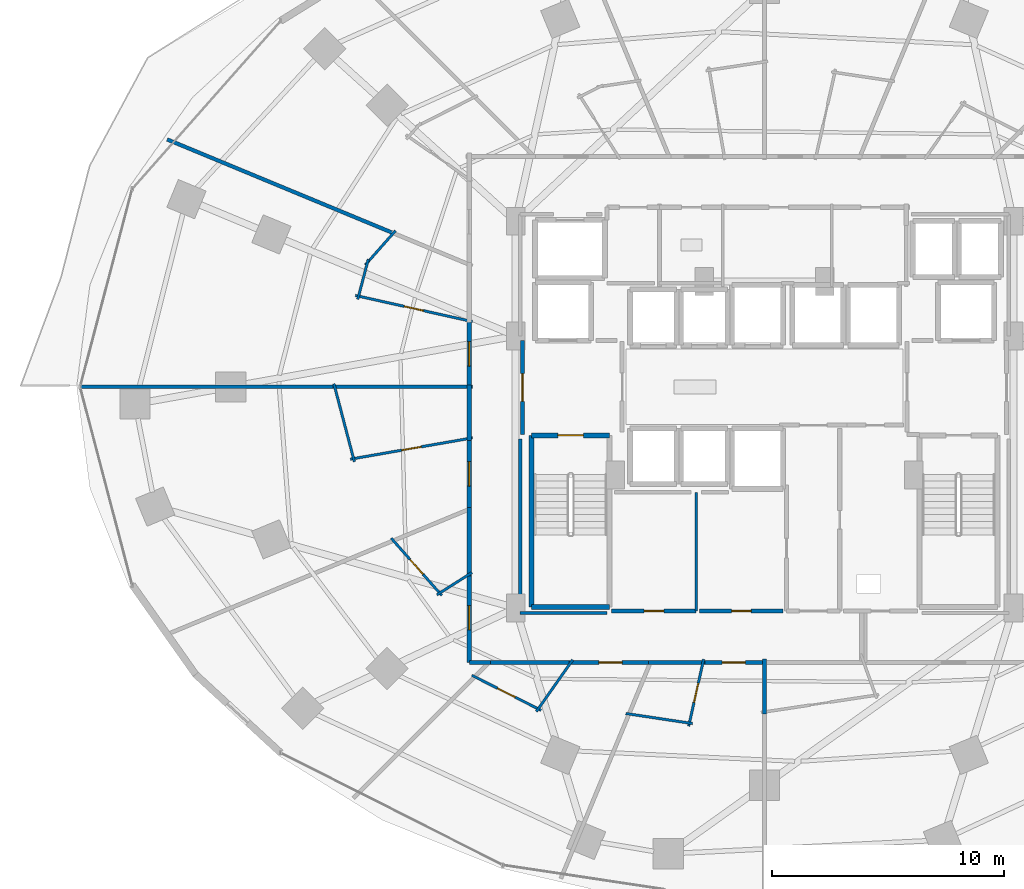
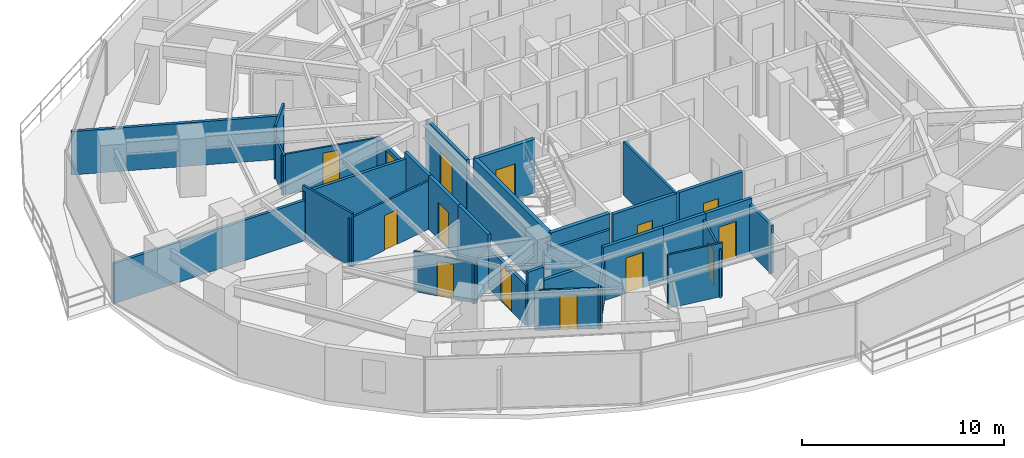
# One storey, part 26 of 34: 34 walls, 14 doors, 14 openings.
"""IFC4 building model written with IfcOpenShell, lengths in metres."""

from ifc_helpers import new_model, si_unit, direction, frame, frame_2d, origin, place, context, subcontext, project, spatial, rectangle, extrude, material, layer, layer_set, type_object, element, fill, save


model = new_model("IFC4")

# Units and contexts
model_context = context("Model", 3, precision=1e-05, world=origin(), true_north=direction((0.0, 1.0)))
body_context = subcontext(model_context, "Body", "Model", "MODEL_VIEW")
ifc_project = project(units=[si_unit("LENGTHUNIT", "METRE"), si_unit("AREAUNIT", "SQUARE_METRE"), si_unit("VOLUMEUNIT", "CUBIC_METRE"), si_unit("PLANEANGLEUNIT", "RADIAN"), si_unit("MASSUNIT", "GRAM", prefix="KILO")], contexts=[model_context])

# Site, building, storey
site_placement = place(None, origin())
site = spatial("IfcSite", under=ifc_project, at=site_placement, CompositionType="ELEMENT")
building_placement = place(site_placement, origin())
building = spatial("IfcBuilding", under=site, at=building_placement, Name="Vorneva Point Tower", CompositionType="ELEMENT")
storey_placement = place(building_placement, frame((0.0, 0.0, 31.0)))
storey = spatial("IfcBuildingStorey", under=building, at=storey_placement, Name="L07", CompositionType="ELEMENT", Elevation=31.0)

# Wall, opening, door
ifc_material_1 = material(Name="Fire-rated acoustic gypsum stud partition", Category="gypsum")
ifc_layer_1 = layer(ifc_material_1, 0.110107421875)
ifc_layer_set_1 = layer_set([ifc_layer_1], Name="Fire-rated acoustic gypsum stud partition")
wall_type_1 = type_object("IfcWallType", Name="WL-PART-110", PredefinedType="PARTITIONING", material=ifc_layer_set_1)
wall_1_placement = place(storey_placement, frame((25.38671875, 28.819580078125, 0.0), z_axis=(0.0, 0.0, 1.0), x_axis=(-0.975933395621, 0.218068813248, 0.0)))
wall_1 = element("IfcWall", 1, at=wall_1_placement, inside=storey, type_object=wall_type_1, Name="L07 Interior Partition 086", PredefinedType="PARTITIONING", context=body_context, shape_type="SweptSolid", body=[
    extrude(rectangle(XDim=5.1767578125, YDim=0.110107421875, at=frame_2d((2.58837890625, 0.0))), origin(), (0.0, 0.0, 1.0), 2.431884765625),
])
opening_1_placement = place(wall_1_placement, frame((2.163330078125, 0.0, 0.0)))
opening_1 = element("IfcOpeningElement", 2, at=opening_1_placement, cuts=wall_1, Name="Opening ID-02", PredefinedType="OPENING", context=body_context, shape_type="SweptSolid", body=[
    extrude(rectangle(XDim=0.85009765625, YDim=2.10009765625, at=frame_2d((0.425048828125, 1.050048828125))), frame((0.0, 0.06982421875, 0.0), z_axis=(0.0, -1.0, 0.0), x_axis=(1.0, 0.0, 0.0)), (0.0, 0.0, 1.0), 0.139892578125),
])
ifc_material_2 = material(Name="Engineered oak fire-rated door leaf", Category="wood")
door_type_1 = type_object("IfcDoorType", Name="DR-BATH-850", OperationType="NOTDEFINED", PredefinedType="DOOR", material=ifc_material_2)
door_1_placement = place(opening_1_placement, origin())
door_1 = element("IfcDoor", 3, at=door_1_placement, inside=storey, type_object=door_type_1, Name="L07 Door Executive Suite L07-08 / En-Suite Bathroom L07-08", OperationType="SINGLE_SWING_RIGHT", OverallHeight=2.10009765625, OverallWidth=0.85009765625, PredefinedType="DOOR", context=body_context, shape_type="SweptSolid", body=[
    extrude(rectangle(XDim=0.85009765625, YDim=2.10009765625, at=frame_2d((0.425048828125, 1.050048828125))), frame((0.0, 0.02490234375, 0.0), z_axis=(0.0, -1.0, 0.0), x_axis=(1.0, 0.0, 0.0)), (0.0, 0.0, 1.0), 0.050048828125),
])
fill(opening_1, door_1)

# Walls
wall_2_placement = place(storey_placement, frame((20.435302734375, 29.78271484375, 0.0), z_axis=(0.0, 0.0, 1.0), x_axis=(0.254378671262, 0.967104695267, 0.0)))
element("IfcWall", 4, at=wall_2_placement, inside=storey, type_object=wall_type_1, Name="L07 Interior Partition 087", PredefinedType="PARTITIONING", context=body_context, shape_type="SweptSolid", body=[
    extrude(rectangle(XDim=1.7822265625, YDim=0.110107421875, at=frame_2d((0.89111328125, 0.0))), origin(), (0.0, 0.0, 1.0), 2.431884765625),
])
wall_3_placement = place(storey_placement, frame((20.76025390625, 31.26611328125, 0.0), z_axis=(0.0, 0.0, 1.0), x_axis=(0.662047420969, 0.749461948593, 0.0)))
element("IfcWall", 5, at=wall_3_placement, inside=storey, type_object=wall_type_1, Name="L07 Interior Partition 088", PredefinedType="PARTITIONING", context=body_context, shape_type="SweptSolid", body=[
    extrude(rectangle(XDim=1.9716796875, YDim=0.110107421875, at=frame_2d((0.98583984375, 0.0))), origin(), (0.0, 0.0, 1.0), 3.239990234375),
])
wall_4_placement = place(storey_placement, frame((20.29052734375, 22.767578125, 0.0), z_axis=(0.0, 0.0, 1.0), x_axis=(-0.254476045764, 0.967079077497, 0.0)))
element("IfcWall", 6, at=wall_4_placement, inside=storey, type_object=wall_type_1, Name="L07 Interior Partition 091", PredefinedType="PARTITIONING", context=body_context, shape_type="SweptSolid", body=[
    extrude(rectangle(XDim=3.482666015625, YDim=0.110107421875, at=frame_2d((1.7412109375, 0.0))), origin(), (0.0, 0.0, 1.0), 3.239990234375),
])

# Wall, opening, door
wall_5_placement = place(storey_placement, frame((25.387939453125, 23.799072265625, 0.0), z_axis=(0.0, 0.0, 1.0), x_axis=(-0.985100697644, -0.171978532096, 0.0)))
wall_5 = element("IfcWall", 7, at=wall_5_placement, inside=storey, type_object=wall_type_1, Name="L07 Interior Partition 092", PredefinedType="PARTITIONING", context=body_context, shape_type="SweptSolid", body=[
    extrude(rectangle(XDim=5.3505859375, YDim=0.110107421875, at=frame_2d((2.67529296875, 0.0))), origin(), (0.0, 0.0, 1.0), 2.922119140625),
])
opening_2_placement = place(wall_5_placement, frame((2.250244140625, 0.0, 0.0)))
opening_2 = element("IfcOpeningElement", 8, at=opening_2_placement, cuts=wall_5, Name="Opening ID-02", PredefinedType="OPENING", context=body_context, shape_type="SweptSolid", body=[
    extrude(rectangle(XDim=0.85009765625, YDim=2.10009765625, at=frame_2d((0.425048828125, 1.050048828125))), frame((0.0, 0.06982421875, 0.0), z_axis=(0.0, -1.0, 0.0), x_axis=(1.0, 0.0, 0.0)), (0.0, 0.0, 1.0), 0.139892578125),
])
door_2_placement = place(opening_2_placement, origin())
door_2 = element("IfcDoor", 9, at=door_2_placement, inside=storey, type_object=door_type_1, Name="L07 Door Corner Suite L07-09 / En-Suite Bathroom L07-09", OperationType="SINGLE_SWING_LEFT", OverallHeight=2.10009765625, OverallWidth=0.85009765625, PredefinedType="DOOR", context=body_context, shape_type="SweptSolid", body=[
    extrude(rectangle(XDim=0.85009765625, YDim=2.10009765625, at=frame_2d((0.425048828125, 1.050048828125))), frame((0.0, 0.02490234375, 0.0), z_axis=(0.0, -1.0, 0.0), x_axis=(1.0, 0.0, 0.0)), (0.0, 0.0, 1.0), 0.050048828125),
])
fill(opening_2, door_2)

wall_6_placement = place(storey_placement, frame((24.064697265625, 16.9931640625, 0.0), z_axis=(0.0, 0.0, 1.0), x_axis=(-0.662059609276, 0.749451181709, 0.0)))
wall_6 = element("IfcWall", 10, at=wall_6_placement, inside=storey, type_object=wall_type_1, Name="L07 Interior Partition 094", PredefinedType="PARTITIONING", context=body_context, shape_type="SweptSolid", body=[
    extrude(rectangle(XDim=3.29931640625, YDim=0.110107421875, at=frame_2d((1.649658203125, 0.0))), origin(), (0.0, 0.0, 1.0), 2.431884765625),
])
opening_3_placement = place(wall_6_placement, frame((1.224609375, 0.0, 0.0)))
opening_3 = element("IfcOpeningElement", 11, at=opening_3_placement, cuts=wall_6, Name="Opening ID-02", PredefinedType="OPENING", context=body_context, shape_type="SweptSolid", body=[
    extrude(rectangle(XDim=0.85009765625, YDim=2.10009765625, at=frame_2d((0.425048828125, 1.050048828125))), frame((0.0, 0.06982421875, 0.0), z_axis=(0.0, -1.0, 0.0), x_axis=(1.0, 0.0, 0.0)), (0.0, 0.0, 1.0), 0.139892578125),
])
door_3_placement = place(opening_3_placement, origin())
door_3 = element("IfcDoor", 12, at=door_3_placement, inside=storey, type_object=door_type_1, Name="L07 Door Junior Suite L07-10 / En-Suite Bathroom L07-10", OperationType="SINGLE_SWING_RIGHT", OverallHeight=2.10009765625, OverallWidth=0.85009765625, PredefinedType="DOOR", context=body_context, shape_type="SweptSolid", body=[
    extrude(rectangle(XDim=0.85009765625, YDim=2.10009765625, at=frame_2d((0.425048828125, 1.050048828125))), frame((0.0, 0.02490234375, 0.0), z_axis=(0.0, -1.0, 0.0), x_axis=(1.0, 0.0, 0.0)), (0.0, 0.0, 1.0), 0.050048828125),
])
fill(opening_3, door_3)

# Wall
wall_7_placement = place(storey_placement, frame((25.3681640625, 17.98388671875, 0.0), z_axis=(0.0, 0.0, 1.0), x_axis=(-0.844361394482, -0.535774052665, 0.0)))
element("IfcWall", 13, at=wall_7_placement, inside=storey, type_object=wall_type_1, Name="L07 Interior Partition 095", PredefinedType="PARTITIONING", context=body_context, shape_type="SweptSolid", body=[
    extrude(rectangle(XDim=1.79345703125, YDim=0.110107421875, at=frame_2d((0.896728515625, 0.0))), origin(), (0.0, 0.0, 1.0), 2.431884765625),
])

# Wall, opening, door
wall_8_placement = place(storey_placement, frame((28.35400390625, 12.033935546875, 0.0), z_axis=(0.0, 0.0, 1.0), x_axis=(-0.892556909034, 0.450934767052, 0.0)))
wall_8 = element("IfcWall", 14, at=wall_8_placement, inside=storey, type_object=wall_type_1, Name="L07 Interior Partition 097", PredefinedType="PARTITIONING", context=body_context, shape_type="SweptSolid", body=[
    extrude(rectangle(XDim=3.355712890625, YDim=0.110107421875, at=frame_2d((1.677734375, 0.0))), origin(), (0.0, 0.0, 1.0), 2.431884765625),
])
opening_4_placement = place(wall_8_placement, frame((1.252685546875, 0.0, 0.0)))
opening_4 = element("IfcOpeningElement", 15, at=opening_4_placement, cuts=wall_8, Name="Opening ID-02", PredefinedType="OPENING", context=body_context, shape_type="SweptSolid", body=[
    extrude(rectangle(XDim=0.85009765625, YDim=2.10009765625, at=frame_2d((0.425048828125, 1.050048828125))), frame((0.0, 0.06982421875, 0.0), z_axis=(0.0, -1.0, 0.0), x_axis=(1.0, 0.0, 0.0)), (0.0, 0.0, 1.0), 0.139892578125),
])
door_4_placement = place(opening_4_placement, origin())
door_4 = element("IfcDoor", 16, at=door_4_placement, inside=storey, type_object=door_type_1, Name="L07 Door King Guest Room L07-11 / En-Suite Bathroom L07-11", OperationType="SINGLE_SWING_LEFT", OverallHeight=2.10009765625, OverallWidth=0.85009765625, PredefinedType="DOOR", context=body_context, shape_type="SweptSolid", body=[
    extrude(rectangle(XDim=0.85009765625, YDim=2.10009765625, at=frame_2d((0.425048828125, 1.050048828125))), frame((0.0, 0.02490234375, 0.0), z_axis=(0.0, -1.0, 0.0), x_axis=(1.0, 0.0, 0.0)), (0.0, 0.0, 1.0), 0.050048828125),
])
fill(opening_4, door_4)

# Walls
wall_9_placement = place(storey_placement, frame((29.717529296875, 14.214599609375, 0.0), z_axis=(0.0, 0.0, 1.0), x_axis=(-0.575076641985, -0.81809953908, 0.0)))
element("IfcWall", 17, at=wall_9_placement, inside=storey, type_object=wall_type_1, Name="L07 Interior Partition 098", PredefinedType="PARTITIONING", context=body_context, shape_type="SweptSolid", body=[
    extrude(rectangle(XDim=2.728515625, YDim=0.110107421875, at=frame_2d((1.3642578125, 0.0))), origin(), (0.0, 0.0, 1.0), 2.431884765625),
])
wall_10_placement = place(storey_placement, frame((34.893310546875, 11.463134765625, 0.0), z_axis=(0.0, 0.0, 1.0), x_axis=(-0.988868035357, 0.148795190273, 0.0)))
element("IfcWall", 18, at=wall_10_placement, inside=storey, type_object=wall_type_1, Name="L07 Interior Partition 100", PredefinedType="PARTITIONING", context=body_context, shape_type="SweptSolid", body=[
    extrude(rectangle(XDim=2.9140625, YDim=0.110107421875, at=frame_2d((1.45703125, 0.0))), origin(), (0.0, 0.0, 1.0), 3.239990234375),
])

# Wall, opening, door
wall_11_placement = place(storey_placement, frame((35.37060546875, 14.236572265625, 0.0), z_axis=(0.0, 0.0, 1.0), x_axis=(-0.218283637967, -0.975885368983, 0.0)))
wall_11 = element("IfcWall", 19, at=wall_11_placement, inside=storey, type_object=wall_type_1, Name="L07 Interior Partition 101", PredefinedType="PARTITIONING", context=body_context, shape_type="SweptSolid", body=[
    extrude(rectangle(XDim=2.96044921875, YDim=0.110107421875, at=frame_2d((1.480224609375, 0.0))), origin(), (0.0, 0.0, 1.0), 2.922119140625),
])
opening_5_placement = place(wall_11_placement, frame((1.055419921875, 0.0, 0.0)))
opening_5 = element("IfcOpeningElement", 20, at=opening_5_placement, cuts=wall_11, Name="Opening ID-02", PredefinedType="OPENING", context=body_context, shape_type="SweptSolid", body=[
    extrude(rectangle(XDim=0.85009765625, YDim=2.10009765625, at=frame_2d((0.425048828125, 1.050048828125))), frame((0.0, 0.06982421875, 0.0), z_axis=(0.0, -1.0, 0.0), x_axis=(1.0, 0.0, 0.0)), (0.0, 0.0, 1.0), 0.139892578125),
])
door_5_placement = place(opening_5_placement, origin())
door_5 = element("IfcDoor", 21, at=door_5_placement, inside=storey, type_object=door_type_1, Name="L07 Door Twin Guest Room L07-12 / En-Suite Bathroom L07-12", OperationType="SINGLE_SWING_RIGHT", OverallHeight=2.10009765625, OverallWidth=0.85009765625, PredefinedType="DOOR", context=body_context, shape_type="SweptSolid", body=[
    extrude(rectangle(XDim=0.85009765625, YDim=2.10009765625, at=frame_2d((0.425048828125, 1.050048828125))), frame((0.0, 0.02490234375, 0.0), z_axis=(0.0, -1.0, 0.0), x_axis=(1.0, 0.0, 0.0)), (0.0, 0.0, 1.0), 0.050048828125),
])
fill(opening_5, door_5)

# Walls
ifc_layer_2 = layer(ifc_material_1, 0.125)
ifc_layer_set_2 = layer_set([ifc_layer_2], Name="Fire-rated acoustic gypsum stud partition")
wall_type_2 = type_object("IfcWallType", Name="WL-PART-125", PredefinedType="PARTITIONING", material=ifc_layer_set_2)
wall_12_placement = place(storey_placement, frame((35.050048828125, 16.320068359375, 0.0), z_axis=(0.0, 0.0, 1.0), x_axis=(0.0, 1.0, 0.0)))
element("IfcWall", 22, at=wall_12_placement, inside=storey, type_object=wall_type_2, Name="L07 Interior Partition 021", PredefinedType="PARTITIONING", context=body_context, shape_type="SweptSolid", body=[
    extrude(rectangle(XDim=5.1298828125, YDim=0.125, at=frame_2d((2.56494140625, 0.0))), origin(), (0.0, 0.0, 1.0), 3.239990234375),
])
ifc_layer_3 = layer(ifc_material_1, 0.139892578125)
ifc_layer_set_3 = layer_set([ifc_layer_3], Name="Fire-rated acoustic gypsum stud partition")
wall_type_3 = type_object("IfcWallType", Name="WL-PART-140", PredefinedType="PARTITIONING", material=ifc_layer_set_3)
wall_13_placement = place(storey_placement, frame((31.195068359375, 16.239990234375, 0.0), z_axis=(0.0, 0.0, 1.0), x_axis=(-1.0, 0.0, 0.0)))
element("IfcWall", 23, at=wall_13_placement, inside=storey, type_object=wall_type_3, Name="L07 Interior Closure Partition 120", PredefinedType="PARTITIONING", context=body_context, shape_type="SweptSolid", body=[
    extrude(rectangle(XDim=3.7451171875, YDim=0.139892578125, at=frame_2d((1.87255859375, 0.0))), origin(), (0.0, 0.0, 1.0), 2.431884765625),
])
wall_14_placement = place(storey_placement, frame((27.449951171875, 16.239990234375, 0.0), z_axis=(0.0, 0.0, 1.0), x_axis=(0.0, 1.0, 0.0)))
element("IfcWall", 24, at=wall_14_placement, inside=storey, type_object=wall_type_3, Name="L07 Interior Closure Partition 121", PredefinedType="PARTITIONING", context=body_context, shape_type="SweptSolid", body=[
    extrude(rectangle(XDim=7.513916015625, YDim=0.139892578125, at=frame_2d((3.7568359375, 0.0))), origin(), (0.0, 0.0, 1.0), 2.431884765625),
])
ifc_layer_4 = layer(ifc_material_1, 0.159912109375)
ifc_layer_set_4 = layer_set([ifc_layer_4], Name="Fire-rated acoustic gypsum stud partition")
wall_type_4 = type_object("IfcWallType", Name="WL-PART-160", PredefinedType="PARTITIONING", material=ifc_layer_set_4)
wall_15_placement = place(storey_placement, frame((12.20703125, 36.68408203125, 0.0), z_axis=(0.0, 0.0, 1.0), x_axis=(0.923876032578, -0.382691881842, 0.0)))
element("IfcWall", 25, at=wall_15_placement, inside=storey, type_object=wall_type_4, Name="L07 Interior Partition 084", PredefinedType="PARTITIONING", context=body_context, shape_type="SweptSolid", body=[
    extrude(rectangle(XDim=10.63037109375, YDim=0.159912109375, at=frame_2d((5.315185546875, 0.0))), origin(), (0.0, 0.0, 1.0), 2.6240234375),
])
wall_16_placement = place(storey_placement, frame((8.450927734375, 26.0, 0.0), z_axis=(0.0, 0.0, 1.0), x_axis=(1.0, 0.0, 0.0)))
element("IfcWall", 26, at=wall_16_placement, inside=storey, type_object=wall_type_4, Name="L07 Interior Partition 089", PredefinedType="PARTITIONING", context=body_context, shape_type="SweptSolid", body=[
    extrude(rectangle(XDim=11.051025390625, YDim=0.159912109375, at=frame_2d((5.525390625, 0.0))), origin(), (0.0, 0.0, 1.0), 2.431884765625),
])
wall_17_placement = place(storey_placement, frame((19.362060546875, 26.0, 0.0), z_axis=(0.0, 0.0, 1.0), x_axis=(1.0, 0.0, 0.0)))
element("IfcWall", 27, at=wall_17_placement, inside=storey, type_object=wall_type_4, Name="L07 Interior Partition 090", PredefinedType="PARTITIONING", context=body_context, shape_type="SweptSolid", body=[
    extrude(rectangle(XDim=6.02783203125, YDim=0.159912109375, at=frame_2d((3.013916015625, 0.0))), origin(), (0.0, 0.0, 1.0), 2.922119140625),
])
wall_18_placement = place(storey_placement, frame((38.0, 11.885009765625, 0.0), z_axis=(0.0, 0.0, 1.0), x_axis=(0.0, 1.0, 0.0)))
element("IfcWall", 28, at=wall_18_placement, inside=storey, type_object=wall_type_4, Name="L07 Interior Partition 103", PredefinedType="PARTITIONING", context=body_context, shape_type="SweptSolid", body=[
    extrude(rectangle(XDim=2.35498046875, YDim=0.159912109375, at=frame_2d((1.177490234375, 0.0))), origin(), (0.0, 0.0, 1.0), 2.922119140625),
])

# Wall, opening, door
ifc_material_3 = material(Name="Autoclaved aerated concrete blockwork", Category="masonry")
ifc_layer_5 = layer(ifc_material_3, 0.179931640625)
ifc_layer_set_5 = layer_set([ifc_layer_5], Name="Autoclaved aerated concrete blockwork")
wall_type_5 = type_object("IfcWallType", Name="WL-PART-180", PredefinedType="PARTITIONING", material=ifc_layer_set_5)
wall_19_placement = place(storey_placement, frame((27.550048828125, 28.0, 0.0), z_axis=(0.0, 0.0, 1.0), x_axis=(0.0, -1.0, 0.0)))
wall_19 = element("IfcWall", 29, at=wall_19_placement, inside=storey, type_object=wall_type_5, Name="L07 Interior Partition 002", PredefinedType="PARTITIONING", context=body_context, shape_type="SweptSolid", body=[
    extrude(rectangle(XDim=4.050048828125, YDim=0.179931640625, at=frame_2d((2.02490234375, 0.0))), origin(), (0.0, 0.0, 1.0), 3.239990234375),
])
opening_6_placement = place(wall_19_placement, frame((1.425048828125, 0.0, 0.0)))
opening_6 = element("IfcOpeningElement", 30, at=opening_6_placement, cuts=wall_19, Name="Opening FD-02", PredefinedType="OPENING", context=body_context, shape_type="SweptSolid", body=[
    extrude(rectangle(XDim=1.199951171875, YDim=2.14990234375, at=frame_2d((0.60009765625, 1.074951171875))), frame((0.0, 0.10498046875, 0.0), z_axis=(0.0, -1.0, 0.0), x_axis=(1.0, 0.0, 0.0)), (0.0, 0.0, 1.0), 0.209716796875),
])
ifc_material_4 = material(Name="Fire-rated powder-coated steel", Category="steel")
door_type_2 = type_object("IfcDoorType", Name="DR-FFL-1200", OperationType="NOTDEFINED", PredefinedType="DOOR", material=ifc_material_4)
door_6_placement = place(opening_6_placement, origin())
door_6 = element("IfcDoor", 31, at=door_6_placement, inside=storey, type_object=door_type_2, Name="L07 Door West Firefighting Lobby / L07 Circulation Corridor", OperationType="SINGLE_SWING_RIGHT", OverallHeight=2.14990234375, OverallWidth=1.199951171875, PredefinedType="DOOR", context=body_context, shape_type="SweptSolid", body=[
    extrude(rectangle(XDim=1.199951171875, YDim=2.14990234375, at=frame_2d((0.60009765625, 1.074951171875))), frame((0.0, 0.02490234375, 0.0), z_axis=(0.0, -1.0, 0.0), x_axis=(1.0, 0.0, 0.0)), (0.0, 0.0, 1.0), 0.050048828125),
])
fill(opening_6, door_6)

wall_20_placement = place(storey_placement, frame((31.39990234375, 16.320068359375, 0.0), z_axis=(0.0, 0.0, 1.0), x_axis=(1.0, 0.0, 0.0)))
wall_20 = element("IfcWall", 32, at=wall_20_placement, inside=storey, type_object=wall_type_5, Name="L07 Interior Partition 022", PredefinedType="PARTITIONING", context=body_context, shape_type="SweptSolid", body=[
    extrude(rectangle(XDim=3.650146484375, YDim=0.179931640625, at=frame_2d((1.8251953125, 0.0))), origin(), (0.0, 0.0, 1.0), 3.239990234375),
])
opening_7_placement = place(wall_20_placement, frame((1.39990234375, 0.0, 0.0)))
opening_7 = element("IfcOpeningElement", 33, at=opening_7_placement, cuts=wall_20, Name="Opening ID-02", PredefinedType="OPENING", context=body_context, shape_type="SweptSolid", body=[
    extrude(rectangle(XDim=0.85009765625, YDim=2.10009765625, at=frame_2d((0.425048828125, 1.050048828125))), frame((0.0, 0.10498046875, 0.0), z_axis=(0.0, -1.0, 0.0), x_axis=(1.0, 0.0, 0.0)), (0.0, 0.0, 1.0), 0.209716796875),
])
door_7_placement = place(opening_7_placement, origin())
door_7 = element("IfcDoor", 34, at=door_7_placement, inside=storey, type_object=door_type_1, Name="L07 Door Housekeeping Room / L07 Circulation Corridor", OperationType="SINGLE_SWING_LEFT", OverallHeight=2.10009765625, OverallWidth=0.85009765625, PredefinedType="DOOR", context=body_context, shape_type="SweptSolid", body=[
    extrude(rectangle(XDim=0.85009765625, YDim=2.10009765625, at=frame_2d((0.425048828125, 1.050048828125))), frame((0.0, 0.02490234375, 0.0), z_axis=(0.0, -1.0, 0.0), x_axis=(1.0, 0.0, 0.0)), (0.0, 0.0, 1.0), 0.050048828125),
])
fill(opening_7, door_7)

wall_21_placement = place(storey_placement, frame((35.199951171875, 16.320068359375, 0.0), z_axis=(0.0, 0.0, 1.0), x_axis=(1.0, 0.0, 0.0)))
wall_21 = element("IfcWall", 35, at=wall_21_placement, inside=storey, type_object=wall_type_5, Name="L07 Interior Partition 023", PredefinedType="PARTITIONING", context=body_context, shape_type="SweptSolid", body=[
    extrude(rectangle(XDim=3.60009765625, YDim=0.179931640625, at=frame_2d((1.800048828125, 0.0))), origin(), (0.0, 0.0, 1.0), 3.239990234375),
])
opening_8_placement = place(wall_21_placement, frame((1.375, 0.0, 0.0)))
opening_8 = element("IfcOpeningElement", 36, at=opening_8_placement, cuts=wall_21, Name="Opening ID-02", PredefinedType="OPENING", context=body_context, shape_type="SweptSolid", body=[
    extrude(rectangle(XDim=0.85009765625, YDim=2.10009765625, at=frame_2d((0.425048828125, 1.050048828125))), frame((0.0, 0.10498046875, 0.0), z_axis=(0.0, -1.0, 0.0), x_axis=(1.0, 0.0, 0.0)), (0.0, 0.0, 1.0), 0.209716796875),
])
door_8_placement = place(opening_8_placement, origin())
door_8 = element("IfcDoor", 37, at=door_8_placement, inside=storey, type_object=door_type_1, Name="L07 Door Linen Store / L07 Circulation Corridor", OperationType="SINGLE_SWING_RIGHT", OverallHeight=2.10009765625, OverallWidth=0.85009765625, PredefinedType="DOOR", context=body_context, shape_type="SweptSolid", body=[
    extrude(rectangle(XDim=0.85009765625, YDim=2.10009765625, at=frame_2d((0.425048828125, 1.050048828125))), frame((0.0, 0.02490234375, 0.0), z_axis=(0.0, -1.0, 0.0), x_axis=(1.0, 0.0, 0.0)), (0.0, 0.0, 1.0), 0.050048828125),
])
fill(opening_8, door_8)

wall_22_placement = place(storey_placement, frame((25.25, 28.910888671875, 0.0), z_axis=(0.0, 0.0, 1.0), x_axis=(0.0, -1.0, 0.0)))
wall_22 = element("IfcWall", 38, at=wall_22_placement, inside=storey, type_object=wall_type_5, Name="L07 Interior Partition 040", PredefinedType="PARTITIONING", context=body_context, shape_type="SweptSolid", body=[
    extrude(rectangle(XDim=2.970947265625, YDim=0.179931640625, at=frame_2d((1.4853515625, 0.0))), origin(), (0.0, 0.0, 1.0), 2.431884765625),
])
opening_9_placement = place(wall_22_placement, frame((0.96044921875, 0.0, 0.0)))
opening_9 = element("IfcOpeningElement", 39, at=opening_9_placement, cuts=wall_22, Name="Opening UD-02", PredefinedType="OPENING", context=body_context, shape_type="SweptSolid", body=[
    extrude(rectangle(XDim=1.050048828125, YDim=2.199951171875, at=frame_2d((0.52490234375, 1.10009765625))), frame((0.0, 0.10498046875, 0.0), z_axis=(0.0, -1.0, 0.0), x_axis=(1.0, 0.0, 0.0)), (0.0, 0.0, 1.0), 0.209716796875),
])
door_type_3 = type_object("IfcDoorType", Name="DR-SUITE-1050", OperationType="NOTDEFINED", PredefinedType="DOOR", material=ifc_material_2)
door_9_placement = place(opening_9_placement, origin())
door_9 = element("IfcDoor", 40, at=door_9_placement, inside=storey, type_object=door_type_3, Name="L07 Door L07 Circulation Corridor / Executive Suite L07-08", OperationType="SINGLE_SWING_RIGHT", OverallHeight=2.199951171875, OverallWidth=1.050048828125, PredefinedType="DOOR", context=body_context, shape_type="SweptSolid", body=[
    extrude(rectangle(XDim=1.050048828125, YDim=2.199951171875, at=frame_2d((0.52490234375, 1.10009765625))), frame((0.0, 0.02490234375, 0.0), z_axis=(0.0, -1.0, 0.0), x_axis=(1.0, 0.0, 0.0)), (0.0, 0.0, 1.0), 0.050048828125),
])
fill(opening_9, door_9)

wall_23_placement = place(storey_placement, frame((25.25, 23.8349609375, 0.0), z_axis=(0.0, 0.0, 1.0), x_axis=(0.0, -1.0, 0.0)))
wall_23 = element("IfcWall", 41, at=wall_23_placement, inside=storey, type_object=wall_type_5, Name="L07 Interior Partition 042", PredefinedType="PARTITIONING", context=body_context, shape_type="SweptSolid", body=[
    extrude(rectangle(XDim=3.180908203125, YDim=0.179931640625, at=frame_2d((1.59033203125, 0.0))), origin(), (0.0, 0.0, 1.0), 3.239990234375),
])
opening_10_placement = place(wall_23_placement, frame((1.0654296875, 0.0, 0.0)))
opening_10 = element("IfcOpeningElement", 42, at=opening_10_placement, cuts=wall_23, Name="Opening UD-02", PredefinedType="OPENING", context=body_context, shape_type="SweptSolid", body=[
    extrude(rectangle(XDim=1.050048828125, YDim=2.199951171875, at=frame_2d((0.52490234375, 1.10009765625))), frame((0.0, 0.10498046875, 0.0), z_axis=(0.0, -1.0, 0.0), x_axis=(1.0, 0.0, 0.0)), (0.0, 0.0, 1.0), 0.209716796875),
])
door_10_placement = place(opening_10_placement, origin())
door_10 = element("IfcDoor", 43, at=door_10_placement, inside=storey, type_object=door_type_3, Name="L07 Door L07 Circulation Corridor / Corner Suite L07-09", OperationType="SINGLE_SWING_LEFT", OverallHeight=2.199951171875, OverallWidth=1.050048828125, PredefinedType="DOOR", context=body_context, shape_type="SweptSolid", body=[
    extrude(rectangle(XDim=1.050048828125, YDim=2.199951171875, at=frame_2d((0.52490234375, 1.10009765625))), frame((0.0, 0.02490234375, 0.0), z_axis=(0.0, -1.0, 0.0), x_axis=(1.0, 0.0, 0.0)), (0.0, 0.0, 1.0), 0.050048828125),
])
fill(opening_10, door_10)

# Wall
wall_24_placement = place(storey_placement, frame((25.25, 26.080078125, 0.0), z_axis=(0.0, 0.0, 1.0), x_axis=(0.0, -1.0, 0.0)))
element("IfcWall", 44, at=wall_24_placement, inside=storey, type_object=wall_type_5, Name="L07 Interior Partition 043", PredefinedType="PARTITIONING", context=body_context, shape_type="SweptSolid", body=[
    extrude(rectangle(XDim=2.385009765625, YDim=0.179931640625, at=frame_2d((1.1923828125, 0.0))), origin(), (0.0, 0.0, 1.0), 3.239990234375),
])

# Wall, opening, door
wall_25_placement = place(storey_placement, frame((25.25, 17.968994140625, 0.0), z_axis=(0.0, 0.0, 1.0), x_axis=(0.0, -1.0, 0.0)))
wall_25 = element("IfcWall", 45, at=wall_25_placement, inside=storey, type_object=wall_type_5, Name="L07 Interior Partition 044", PredefinedType="PARTITIONING", context=body_context, shape_type="SweptSolid", body=[
    extrude(rectangle(XDim=3.868896484375, YDim=0.179931640625, at=frame_2d((1.9345703125, 0.0))), origin(), (0.0, 0.0, 1.0), 2.431884765625),
])
opening_11_placement = place(wall_25_placement, frame((1.409423828125, 0.0, 0.0)))
opening_11 = element("IfcOpeningElement", 46, at=opening_11_placement, cuts=wall_25, Name="Opening UD-02", PredefinedType="OPENING", context=body_context, shape_type="SweptSolid", body=[
    extrude(rectangle(XDim=1.050048828125, YDim=2.199951171875, at=frame_2d((0.52490234375, 1.10009765625))), frame((0.0, 0.10498046875, 0.0), z_axis=(0.0, -1.0, 0.0), x_axis=(1.0, 0.0, 0.0)), (0.0, 0.0, 1.0), 0.209716796875),
])
door_11_placement = place(opening_11_placement, origin())
door_11 = element("IfcDoor", 47, at=door_11_placement, inside=storey, type_object=door_type_3, Name="L07 Door L07 Circulation Corridor / Junior Suite L07-10", OperationType="SINGLE_SWING_RIGHT", OverallHeight=2.199951171875, OverallWidth=1.050048828125, PredefinedType="DOOR", context=body_context, shape_type="SweptSolid", body=[
    extrude(rectangle(XDim=1.050048828125, YDim=2.199951171875, at=frame_2d((0.52490234375, 1.10009765625))), frame((0.0, 0.02490234375, 0.0), z_axis=(0.0, -1.0, 0.0), x_axis=(1.0, 0.0, 0.0)), (0.0, 0.0, 1.0), 0.050048828125),
])
fill(opening_11, door_11)

# Walls
wall_26_placement = place(storey_placement, frame((25.25, 14.10009765625, 0.0), z_axis=(0.0, 0.0, 1.0), x_axis=(1.0, 0.0, 0.0)))
element("IfcWall", 48, at=wall_26_placement, inside=storey, type_object=wall_type_5, Name="L07 Interior Partition 045", PredefinedType="PARTITIONING", context=body_context, shape_type="SweptSolid", body=[
    extrude(rectangle(XDim=0.909912109375, YDim=0.179931640625, at=frame_2d((0.455078125, 0.0))), origin(), (0.0, 0.0, 1.0), 3.239990234375),
])
wall_27_placement = place(storey_placement, frame((25.25, 20.7939453125, 0.0), z_axis=(0.0, 0.0, 1.0), x_axis=(0.0, -1.0, 0.0)))
element("IfcWall", 49, at=wall_27_placement, inside=storey, type_object=wall_type_5, Name="L07 Interior Partition 046", PredefinedType="PARTITIONING", context=body_context, shape_type="SweptSolid", body=[
    extrude(rectangle(XDim=2.96484375, YDim=0.179931640625, at=frame_2d((1.482421875, 0.0))), origin(), (0.0, 0.0, 1.0), 3.239990234375),
])

# Wall, opening, door
wall_28_placement = place(storey_placement, frame((29.56396484375, 14.10009765625, 0.0), z_axis=(0.0, 0.0, 1.0), x_axis=(1.0, 0.0, 0.0)))
wall_28 = element("IfcWall", 50, at=wall_28_placement, inside=storey, type_object=wall_type_5, Name="L07 Interior Partition 047", PredefinedType="PARTITIONING", context=body_context, shape_type="SweptSolid", body=[
    extrude(rectangle(XDim=3.567138671875, YDim=0.179931640625, at=frame_2d((1.78369140625, 0.0))), origin(), (0.0, 0.0, 1.0), 3.239990234375),
])
opening_12_placement = place(wall_28_placement, frame((1.283447265625, 0.0, 0.0)))
opening_12 = element("IfcOpeningElement", 51, at=opening_12_placement, cuts=wall_28, Name="Opening UD-01", PredefinedType="OPENING", context=body_context, shape_type="SweptSolid", body=[
    extrude(rectangle(XDim=1.0, YDim=2.14990234375, at=frame_2d((0.5, 1.074951171875))), frame((0.0, 0.10498046875, 0.0), z_axis=(0.0, -1.0, 0.0), x_axis=(1.0, 0.0, 0.0)), (0.0, 0.0, 1.0), 0.209716796875),
])
door_type_4 = type_object("IfcDoorType", Name="DR-UNIT-1000", OperationType="NOTDEFINED", PredefinedType="DOOR", material=ifc_material_2)
door_12_placement = place(opening_12_placement, origin())
door_12 = element("IfcDoor", 52, at=door_12_placement, inside=storey, type_object=door_type_4, Name="L07 Door L07 Circulation Corridor / King Guest Room L07-11", OperationType="SINGLE_SWING_LEFT", OverallHeight=2.14990234375, OverallWidth=1.0, PredefinedType="DOOR", context=body_context, shape_type="SweptSolid", body=[
    extrude(rectangle(XDim=1.0, YDim=2.14990234375, at=frame_2d((0.5, 1.074951171875))), frame((0.0, 0.02490234375, 0.0), z_axis=(0.0, -1.0, 0.0), x_axis=(1.0, 0.0, 0.0)), (0.0, 0.0, 1.0), 0.050048828125),
])
fill(opening_12, door_12)

# Wall
wall_29_placement = place(storey_placement, frame((26.02001953125, 14.10009765625, 0.0), z_axis=(0.0, 0.0, 1.0), x_axis=(1.0, 0.0, 0.0)))
element("IfcWall", 53, at=wall_29_placement, inside=storey, type_object=wall_type_5, Name="L07 Interior Partition 048", PredefinedType="PARTITIONING", context=body_context, shape_type="SweptSolid", body=[
    extrude(rectangle(XDim=3.68408203125, YDim=0.179931640625, at=frame_2d((1.842041015625, 0.0))), origin(), (0.0, 0.0, 1.0), 2.431884765625),
])

# Wall, opening, door
wall_30_placement = place(storey_placement, frame((35.279052734375, 14.10009765625, 0.0), z_axis=(0.0, 0.0, 1.0), x_axis=(1.0, 0.0, 0.0)))
wall_30 = element("IfcWall", 54, at=wall_30_placement, inside=storey, type_object=wall_type_5, Name="L07 Interior Partition 049", PredefinedType="PARTITIONING", context=body_context, shape_type="SweptSolid", body=[
    extrude(rectangle(XDim=2.781005859375, YDim=0.179931640625, at=frame_2d((1.390625, 0.0))), origin(), (0.0, 0.0, 1.0), 3.239990234375),
])
opening_13_placement = place(wall_30_placement, frame((0.890380859375, 0.0, 0.0)))
opening_13 = element("IfcOpeningElement", 55, at=opening_13_placement, cuts=wall_30, Name="Opening UD-01", PredefinedType="OPENING", context=body_context, shape_type="SweptSolid", body=[
    extrude(rectangle(XDim=1.0, YDim=2.14990234375, at=frame_2d((0.5, 1.074951171875))), frame((0.0, 0.10498046875, 0.0), z_axis=(0.0, -1.0, 0.0), x_axis=(1.0, 0.0, 0.0)), (0.0, 0.0, 1.0), 0.209716796875),
])
door_13_placement = place(opening_13_placement, origin())
door_13 = element("IfcDoor", 56, at=door_13_placement, inside=storey, type_object=door_type_4, Name="L07 Door L07 Circulation Corridor / Twin Guest Room L07-12", OperationType="SINGLE_SWING_RIGHT", OverallHeight=2.14990234375, OverallWidth=1.0, PredefinedType="DOOR", context=body_context, shape_type="SweptSolid", body=[
    extrude(rectangle(XDim=1.0, YDim=2.14990234375, at=frame_2d((0.5, 1.074951171875))), frame((0.0, 0.02490234375, 0.0), z_axis=(0.0, -1.0, 0.0), x_axis=(1.0, 0.0, 0.0)), (0.0, 0.0, 1.0), 0.050048828125),
])
fill(opening_13, door_13)

# Wall
wall_31_placement = place(storey_placement, frame((32.990966796875, 14.10009765625, 0.0), z_axis=(0.0, 0.0, 1.0), x_axis=(1.0, 0.0, 0.0)))
element("IfcWall", 57, at=wall_31_placement, inside=storey, type_object=wall_type_5, Name="L07 Interior Partition 050", PredefinedType="PARTITIONING", context=body_context, shape_type="SweptSolid", body=[
    extrude(rectangle(XDim=2.427978515625, YDim=0.179931640625, at=frame_2d((1.2138671875, 0.0))), origin(), (0.0, 0.0, 1.0), 3.239990234375),
])

# Wall, opening, door
ifc_material_5 = material(Name="Concrete B50 (C40/50)", Category="concrete")
ifc_layer_6 = layer(ifc_material_5, 0.219970703125)
ifc_layer_set_6 = layer_set([ifc_layer_6], Name="Concrete B50 (C40/50)")
wall_type_6 = type_object("IfcWallType", Name="WL-SHFT-220", PredefinedType="SOLIDWALL", material=ifc_layer_set_6)
wall_32_placement = place(storey_placement, frame((27.93994140625, 23.909912109375, 0.0), z_axis=(0.0, 0.0, 1.0), x_axis=(1.0, 0.0, 0.0)))
wall_32 = element("IfcWall", 58, at=wall_32_placement, inside=storey, type_object=wall_type_6, Name="L07 Exit Stair ST1 Shaft Wall near", PredefinedType="SOLIDWALL", context=body_context, shape_type="SweptSolid", body=[
    extrude(rectangle(XDim=3.3701171875, YDim=0.219970703125, at=frame_2d((1.68505859375, 0.0))), origin(), (0.0, 0.0, 1.0), 3.239990234375),
])
opening_14_placement = place(wall_32_placement, frame((1.135009765625, 0.0, 0.0)))
opening_14 = element("IfcOpeningElement", 59, at=opening_14_placement, cuts=wall_32, Name="Opening FD-01", PredefinedType="OPENING", context=body_context, shape_type="SweptSolid", body=[
    extrude(rectangle(XDim=1.10009765625, YDim=2.14990234375, at=frame_2d((0.550048828125, 1.074951171875))), frame((0.0, 0.125, 0.0), z_axis=(0.0, -1.0, 0.0), x_axis=(1.0, 0.0, 0.0)), (0.0, 0.0, 1.0), 0.249755859375),
])
door_type_5 = type_object("IfcDoorType", Name="DR-STAIR-1100", OperationType="NOTDEFINED", PredefinedType="DOOR", material=ifc_material_4)
door_14_placement = place(opening_14_placement, origin())
door_14 = element("IfcDoor", 60, at=door_14_placement, inside=storey, type_object=door_type_5, Name="L07 Exit Stair ST1 Fire Door", OperationType="SINGLE_SWING_LEFT", OverallHeight=2.14990234375, OverallWidth=1.10009765625, PredefinedType="DOOR", context=body_context, shape_type="SweptSolid", body=[
    extrude(rectangle(XDim=1.10009765625, YDim=2.14990234375, at=frame_2d((0.550048828125, 1.074951171875))), frame((0.0, 0.02490234375, 0.0), z_axis=(0.0, -1.0, 0.0), x_axis=(1.0, 0.0, 0.0)), (0.0, 0.0, 1.0), 0.050048828125),
])
fill(opening_14, door_14)

# Walls
wall_33_placement = place(storey_placement, frame((31.31005859375, 16.489990234375, 0.0), z_axis=(0.0, 0.0, 1.0), x_axis=(-1.0, 0.0, 0.0)))
element("IfcWall", 61, at=wall_33_placement, inside=storey, type_object=wall_type_6, Name="L07 Exit Stair ST1 Shaft Wall far", PredefinedType="SOLIDWALL", context=body_context, shape_type="SweptSolid", body=[
    extrude(rectangle(XDim=3.3701171875, YDim=0.219970703125, at=frame_2d((1.68505859375, 0.0))), origin(), (0.0, 0.0, 1.0), 3.239990234375),
])
wall_34_placement = place(storey_placement, frame((27.93994140625, 16.489990234375, 0.0), z_axis=(0.0, 0.0, 1.0), x_axis=(0.0, 1.0, 0.0)))
element("IfcWall", 62, at=wall_34_placement, inside=storey, type_object=wall_type_6, Name="L07 Exit Stair ST1 Shaft Wall left", PredefinedType="SOLIDWALL", context=body_context, shape_type="SweptSolid", body=[
    extrude(rectangle(XDim=7.419921875, YDim=0.219970703125, at=frame_2d((3.7099609375, 0.0))), origin(), (0.0, 0.0, 1.0), 3.239990234375),
])

save(model, "model.ifc")
